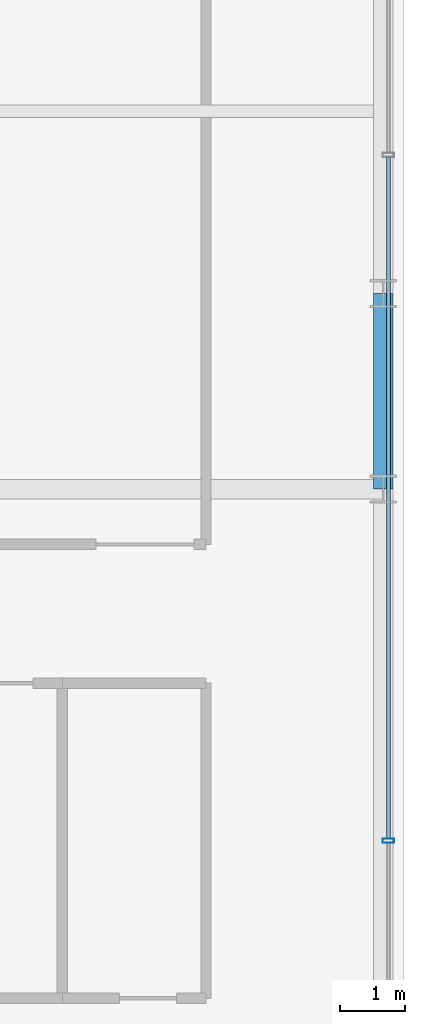
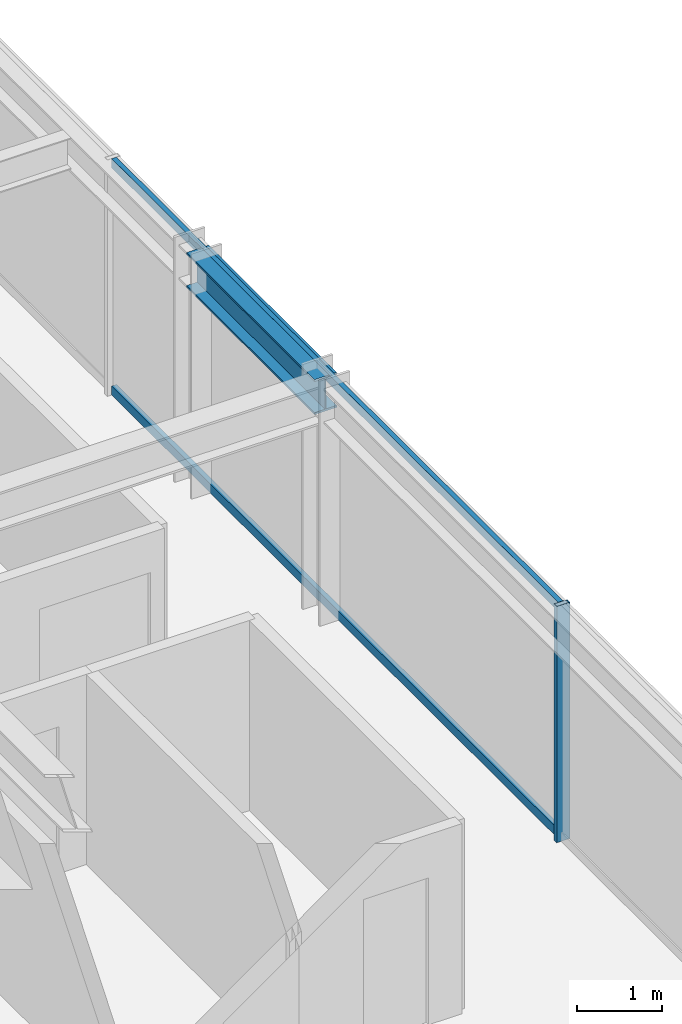
# One storey, part 15 of 39: 3 members, 1 beam, 1 element without a shape of its own.
"""IFC4 building model written with IfcOpenShell, lengths in metres."""

from ifc_helpers import new_model, si_unit, direction, frame, origin, origin_2d, place, context, subcontext, project, spatial, hollow_rectangle, i_section, extrude, source, transform, mapped, material, material_profile, profile_set, type_object, element, aggregate, save


model = new_model("IFC4")

# Units and contexts
model_context = context("Model", 3, precision=1e-05, world=origin(), true_north=direction((0.0, 1.0)))
body_context = subcontext(model_context, "Body", "Model", "MODEL_VIEW")
ifc_project = project(units=[si_unit("LENGTHUNIT", "METRE"), si_unit("AREAUNIT", "SQUARE_METRE"), si_unit("VOLUMEUNIT", "CUBIC_METRE"), si_unit("PLANEANGLEUNIT", "RADIAN"), si_unit("MASSUNIT", "GRAM", prefix="KILO")], contexts=[model_context])

# Site, building, storey
site_placement = place(None, origin())
site = spatial("IfcSite", under=ifc_project, at=site_placement, CompositionType="ELEMENT")
building_placement = place(site_placement, origin())
building = spatial("IfcBuilding", under=site, at=building_placement, Name="Nahalor Promenade Grand Hotel", CompositionType="ELEMENT")
storey_placement = place(building_placement, frame((0.0, 0.0, 135.75)))
storey = spatial("IfcBuildingStorey", under=building, at=storey_placement, Name="L34", CompositionType="ELEMENT", Elevation=135.75)

# Beam
ifc_material_1 = material(Name="Steel S355JR", Category="steel")
ifc_material_profile_1 = material_profile(ifc_material_1, i_section(OverallWidth=0.3, OverallDepth=0.5, WebThickness=0.0145, FlangeThickness=0.028, at=origin_2d()), Name="HEB 500")
ifc_profile_set_1 = profile_set([ifc_material_profile_1], Name="Steel S355JR")
beam_type = type_object("IfcBeamType", Name="Beam-Spandrel-HEB500", PredefinedType="SPANDREL", material=ifc_profile_set_1)
shared_shape_1 = source(origin(), body_context, "Body", "SweptSolid", [
    extrude(i_section(OverallWidth=0.3, OverallDepth=0.5, WebThickness=0.0145, FlangeThickness=0.028, at=origin_2d()), origin(), (0.0, 0.0, 1.0), 3.0),
])
beam_placement = place(storey_placement, frame((23.780029296875, 5.39990234375, 3.1298828125), z_axis=(0.0, 1.0, 0.0), x_axis=(-1.0, 0.0, 0.0)))
element("IfcBeam", 1, at=beam_placement, inside=storey, type_object=beam_type, Name="BM-L34-SP-E-3", PredefinedType="SPANDREL", context=body_context, shape_type="MappedRepresentation", body=[
    mapped(shared_shape_1, transform((0.0, 0.0, 0.0), scale=1.0)),
])

# Curtain wall, members
ifc_material_2 = material(Name="Anodised Bronze Aluminium EN AW-6063 T6", Category="aluminium")
curtain_wall_type = type_object("IfcCurtainWallType", Name="CW2 Typical Hotel Flush Bronze Unitised Curtain Wall", PredefinedType="USERDEFINED", material=ifc_material_2)
curtain_wall_placement = place(storey_placement, origin())
curtain_wall = element("IfcCurtainWall", 2, at=curtain_wall_placement, inside=storey, type_object=curtain_wall_type, Name="L34 Curtain Wall CW-L34-E-1", ObjectType="UNITISED_CURTAIN_WALL", PredefinedType="USERDEFINED")
ifc_material_profile_2 = material_profile(ifc_material_2, hollow_rectangle(XDim=0.065, YDim=0.18, WallThickness=0.004, at=origin_2d()), Name="CWM 65x180x4")
ifc_profile_set_2 = profile_set([ifc_material_profile_2], Name="Anodised Bronze Aluminium EN AW-6063 T6")
member_type_1 = type_object("IfcMemberType", Name="CWM2 Typical Bronze Mullion 65x180", PredefinedType="MULLION", material=ifc_profile_set_2)
shared_shape_2 = source(origin(), body_context, "Body", "SweptSolid", [
    extrude(hollow_rectangle(XDim=0.065, YDim=0.18, WallThickness=0.004, at=origin_2d()), origin(), (0.0, 0.0, 1.0), 3.3798828125),
])
member_1_placement = place(storey_placement, frame((23.860107421875, 0.0, 0.0), z_axis=(0.0, 0.0, 1.0), x_axis=(0.0, 1.0, 0.0)))
member_1 = element("IfcMember", 3, at=member_1_placement, type_object=member_type_1, Name="CW-L34-E-1 Mullion 2", PredefinedType="MULLION", context=body_context, shape_type="MappedRepresentation", body=[
    mapped(shared_shape_2, transform((0.0, 0.0, 0.0), scale=1.0)),
])
ifc_material_profile_3 = material_profile(ifc_material_2, hollow_rectangle(XDim=0.065, YDim=0.13, WallThickness=0.004, at=origin_2d()), Name="CWT 65x130x4")
ifc_profile_set_3 = profile_set([ifc_material_profile_3], Name="Anodised Bronze Aluminium EN AW-6063 T6")
member_type_2 = type_object("IfcMemberType", Name="CWT2 Typical Bronze Transom 65x130", PredefinedType="USERDEFINED", material=ifc_profile_set_3)
shared_shape_3 = source(origin(), body_context, "Body", "SweptSolid", [
    extrude(hollow_rectangle(XDim=0.065, YDim=0.13, WallThickness=0.004, at=origin_2d()), origin(), (0.0, 0.0, 1.0), 10.465087890625),
])
member_2_placement = place(storey_placement, frame((23.860107421875, 0.032470703125, 0.06494140625), z_axis=(0.0, 1.0, 0.0), x_axis=(-1.0, 0.0, 0.0)))
member_2 = element("IfcMember", 4, at=member_2_placement, type_object=member_type_2, Name="CW-L34-E-1 Transom 2-0", ObjectType="TRANSOM", PredefinedType="USERDEFINED", context=body_context, shape_type="MappedRepresentation", body=[
    mapped(shared_shape_3, transform((0.0, 0.0, 0.0), scale=1.0)),
])
member_3_placement = place(storey_placement, frame((23.860107421875, 0.032470703125, 3.31494140625), z_axis=(0.0, 1.0, 0.0), x_axis=(-1.0, 0.0, 0.0)))
member_3 = element("IfcMember", 5, at=member_3_placement, type_object=member_type_2, Name="CW-L34-E-1 Transom 2-1", ObjectType="TRANSOM", PredefinedType="USERDEFINED", context=body_context, shape_type="MappedRepresentation", body=[
    mapped(shared_shape_3, transform((0.0, 0.0, 0.0), scale=1.0)),
])
aggregate(curtain_wall, [member_1, member_2, member_3])

save(model, "model.ifc")
